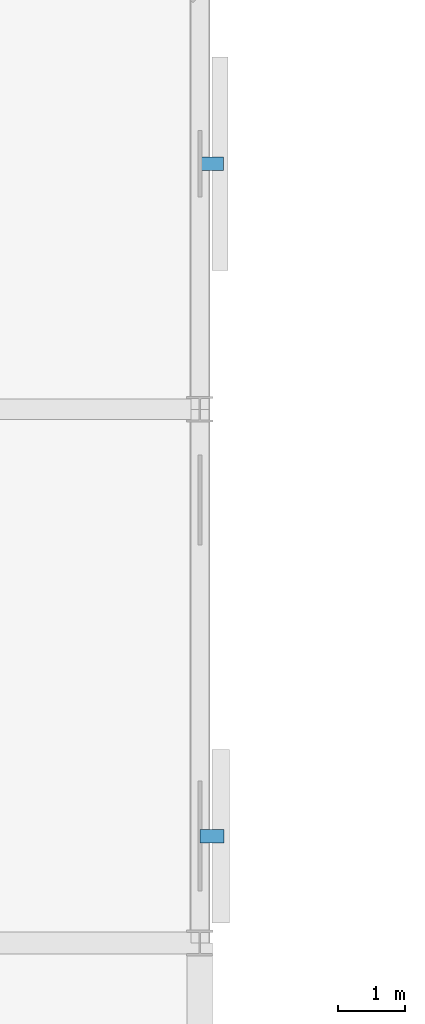
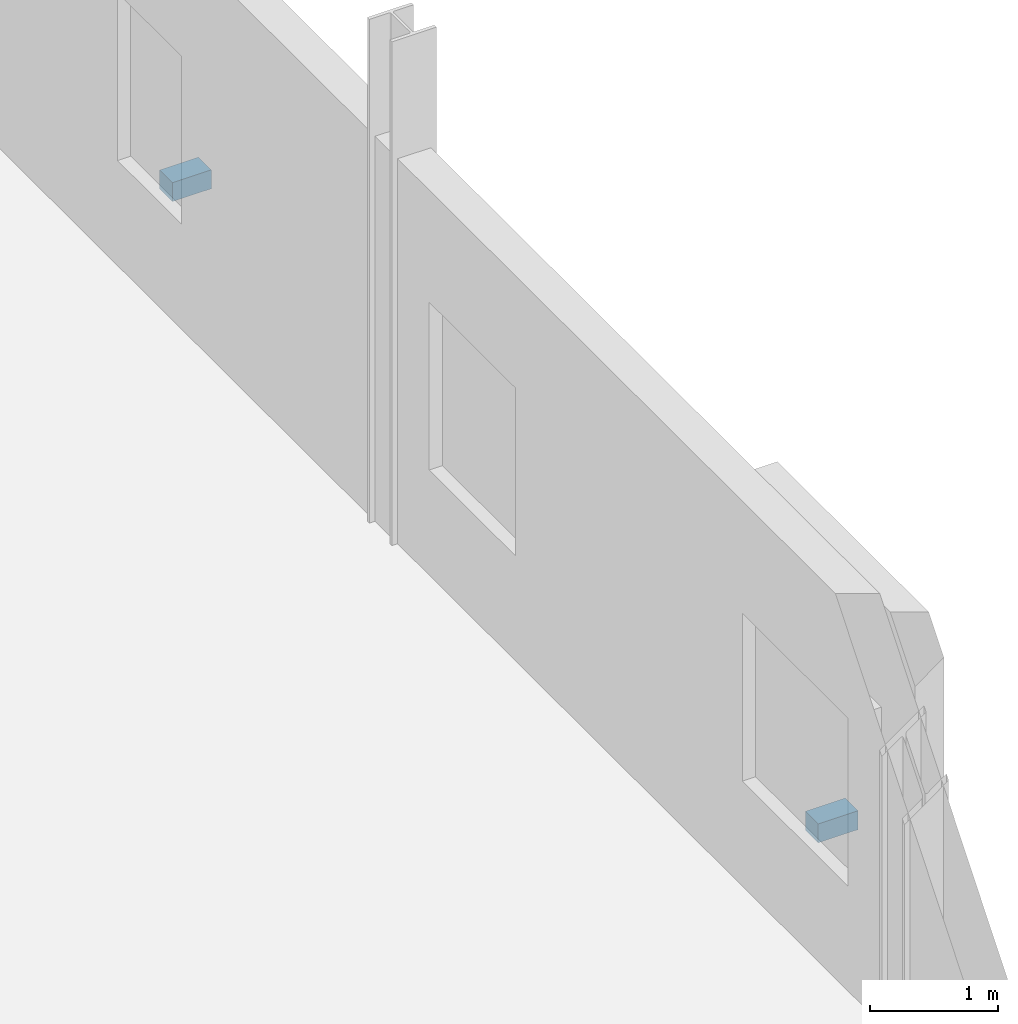
# One storey, part 109 of 122: 2 discrete accessories.
"""IFC4 building model written with IfcOpenShell, lengths in metres."""

from ifc_helpers import new_model, si_unit, direction, frame, origin, place, context, subcontext, project, spatial, polyline, outline, extrude, material, type_object, element, save


model = new_model("IFC4")

# Units and contexts
model_context = context("Model", 3, precision=1e-05, world=origin(), true_north=direction((0.0, 1.0)))
body_context = subcontext(model_context, "Body", "Model", "MODEL_VIEW")
ifc_project = project(units=[si_unit("LENGTHUNIT", "METRE"), si_unit("AREAUNIT", "SQUARE_METRE"), si_unit("VOLUMEUNIT", "CUBIC_METRE"), si_unit("PLANEANGLEUNIT", "RADIAN"), si_unit("MASSUNIT", "GRAM", prefix="KILO"), si_unit("THERMODYNAMICTEMPERATUREUNIT", "KELVIN"), si_unit("POWERUNIT", "WATT")], contexts=[model_context])

# Site, building, storey
site_placement = place(None, origin())
site = spatial("IfcSite", under=ifc_project, at=site_placement, CompositionType="ELEMENT")
building_placement = place(site_placement, origin())
building = spatial("IfcBuilding", under=site, at=building_placement, Name="Zelmaris Science Centre", CompositionType="ELEMENT")
storey_placement = place(building_placement, frame((0.0, 0.0, 10.800048828125)))
storey = spatial("IfcBuildingStorey", under=building, at=storey_placement, Name="L02", CompositionType="ELEMENT", Elevation=10.800048828125)

# Discrete accessories
ifc_material = material(Name="Galvanised steel ASTM A500 Grade B", Category="steel")
discrete_accessory_type = type_object("IfcDiscreteAccessoryType", Name="Facade Bracket BK-02", PredefinedType="BRACKET", material=ifc_material)
discrete_accessory_1_placement = place(storey_placement, frame((0.0, 0.0, 0.919921875)))
element("IfcDiscreteAccessory", 1, at=discrete_accessory_1_placement, inside=storey, type_object=discrete_accessory_type, Name="L02 Louvre support bracket 20", PredefinedType="BRACKET", context=body_context, shape_type="SweptSolid", body=[
    extrude(outline(polyline([(108.000244140625, 83.7802734375), (108.000244140625, 83.580322265625), (108.350341796875, 83.580322265625), (108.35009765625, 83.7802734375), (108.000244140625, 83.7802734375)])), origin(), (0.0, 0.0, 1.0), 0.179931640625),
])
discrete_accessory_2_placement = place(storey_placement, frame((0.0, 0.0, 0.919921875)))
element("IfcDiscreteAccessory", 2, at=discrete_accessory_2_placement, inside=storey, type_object=discrete_accessory_type, Name="L02 Louvre support bracket 21", PredefinedType="BRACKET", context=body_context, shape_type="SweptSolid", body=[
    extrude(outline(polyline([(108.001708984375, 73.70166015625), (108.001708984375, 73.501708984375), (108.361572265625, 73.501708984375), (108.361572265625, 73.70166015625), (108.001708984375, 73.70166015625)])), origin(), (0.0, 0.0, 1.0), 0.179931640625),
])

save(model, "model.ifc")
